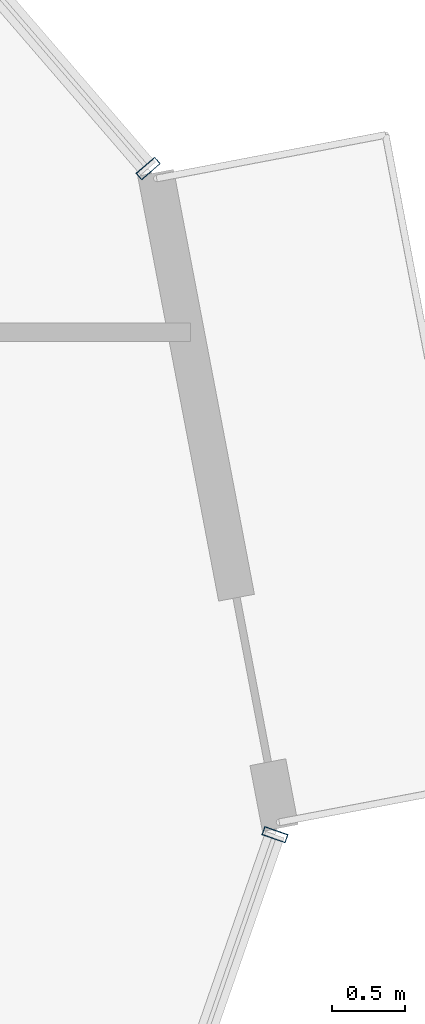
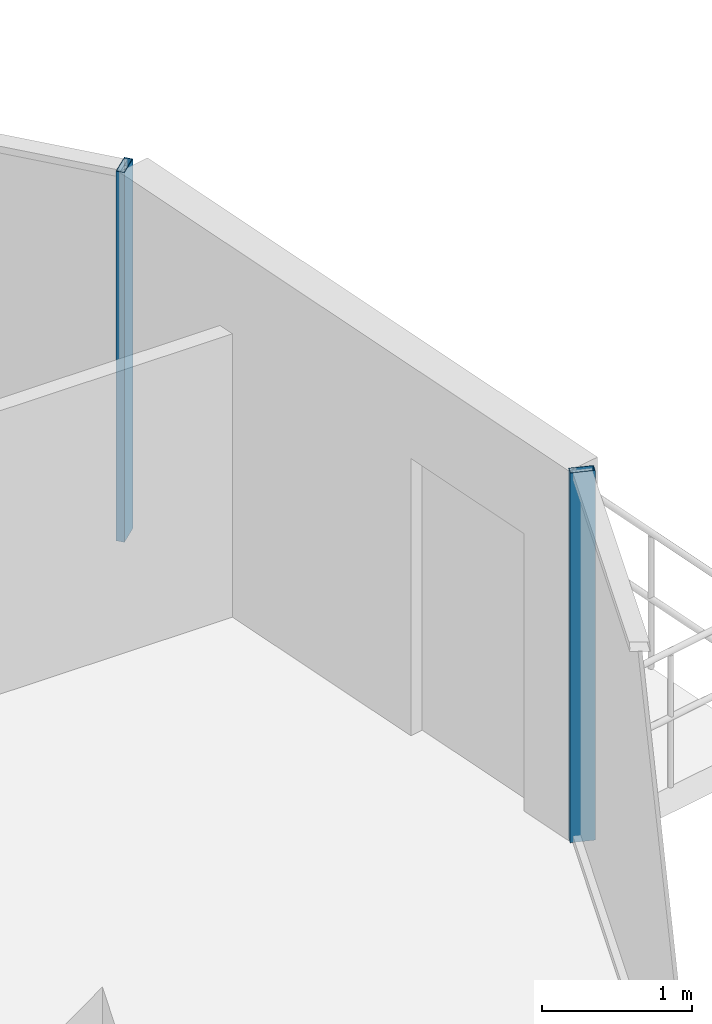
# One storey, part 20 of 38: 2 members, 2 elements without a shape of their own.
"""IFC4 building model written with IfcOpenShell, lengths in metres."""

from ifc_helpers import new_model, si_unit, direction, frame, origin, origin_2d, place, context, subcontext, project, spatial, hollow_rectangle, extrude, source, transform, mapped, material, layer, layer_set, material_profile, profile_set, type_object, element, aggregate, save


model = new_model("IFC4")

# Units and contexts
model_context = context("Model", 3, precision=1e-05, world=origin(), true_north=direction((0.0, 1.0)))
body_context = subcontext(model_context, "Body", "Model", "MODEL_VIEW")
ifc_project = project(units=[si_unit("LENGTHUNIT", "METRE"), si_unit("AREAUNIT", "SQUARE_METRE"), si_unit("VOLUMEUNIT", "CUBIC_METRE"), si_unit("PLANEANGLEUNIT", "RADIAN"), si_unit("MASSUNIT", "GRAM", prefix="KILO")], contexts=[model_context])

# Site, building, storey
site_placement = place(None, origin())
site = spatial("IfcSite", under=ifc_project, at=site_placement, CompositionType="ELEMENT")
building_placement = place(site_placement, origin())
building = spatial("IfcBuilding", under=site, at=building_placement, Name="Veraguas Prism Commons", CompositionType="ELEMENT")
storey_placement = place(building_placement, frame((0.0, 0.0, 60.85009765625)))
storey = spatial("IfcBuildingStorey", under=building, at=storey_placement, Name="L16", CompositionType="ELEMENT", Elevation=60.85009765625)

# Curtain wall, member
ifc_material = material(Name="Anodised aluminium EN AW-6063 T6", Category="aluminium")
ifc_layer = layer(ifc_material, 0.169921875, Name="Unitised Flush Curtain Wall Zone 1", Category="aluminium")
ifc_layer_set = layer_set([ifc_layer], Name="Anodised aluminium EN AW-6063 T6")
curtain_wall_type = type_object("IfcCurtainWallType", Name="Unitised Flush Curtain Wall Zone 1", PredefinedType="NOTDEFINED", material=ifc_layer_set)
curtain_wall_1_placement = place(storey_placement, origin())
curtain_wall_1 = element("IfcCurtainWall", 1, at=curtain_wall_1_placement, inside=storey, type_object=curtain_wall_type, Name="Tower Facade Curtain Wall L16-F1", PredefinedType="NOTDEFINED")
ifc_material_profile = material_profile(ifc_material, hollow_rectangle(XDim=0.06005859375, YDim=0.169921875, WallThickness=0.00390625, at=origin_2d()), Name="AL60X170X4")
ifc_profile_set = profile_set([ifc_material_profile], Name="Anodised aluminium EN AW-6063 T6")
member_type = type_object("IfcMemberType", Name="Curtain Wall Mullion Lower AL 60x170x4", PredefinedType="MULLION", material=ifc_profile_set)
shared_shape = source(origin(), body_context, "Body", "SweptSolid", [
    extrude(hollow_rectangle(XDim=0.06005859375, YDim=0.169921875, WallThickness=0.00390625, at=origin_2d()), origin(), (0.0, 0.0, 1.0), 3.0),
])
member_1_placement = place(storey_placement, frame((45.82080078125, 30.5244140625, 0.0), z_axis=(0.0, 0.0, 1.0), x_axis=(-0.653149715021, 0.757228796182, 0.0)))
member_1 = element("IfcMember", 2, at=member_1_placement, type_object=member_type, Name="CW-Z1 Mullion 1", PredefinedType="MULLION", context=body_context, shape_type="MappedRepresentation", body=[
    mapped(shared_shape, transform((0.0, 0.0, 0.0), scale=1.0)),
])
aggregate(curtain_wall_1, [member_1])

curtain_wall_2_placement = place(storey_placement, origin())
curtain_wall_2 = element("IfcCurtainWall", 3, at=curtain_wall_2_placement, inside=storey, type_object=curtain_wall_type, Name="Tower Facade Curtain Wall L16-F6", PredefinedType="NOTDEFINED")
member_2_placement = place(storey_placement, frame((46.69140625, 25.95068359375, 0.0), z_axis=(0.0, 0.0, 1.0), x_axis=(0.329194628189, 0.944262091144, 0.0)))
member_2 = element("IfcMember", 4, at=member_2_placement, type_object=member_type, Name="CW-Z1 Mullion 5", PredefinedType="MULLION", context=body_context, shape_type="MappedRepresentation", body=[
    mapped(shared_shape, transform((0.0, 0.0, 0.0), scale=1.0)),
])
aggregate(curtain_wall_2, [member_2])

save(model, "model.ifc")
